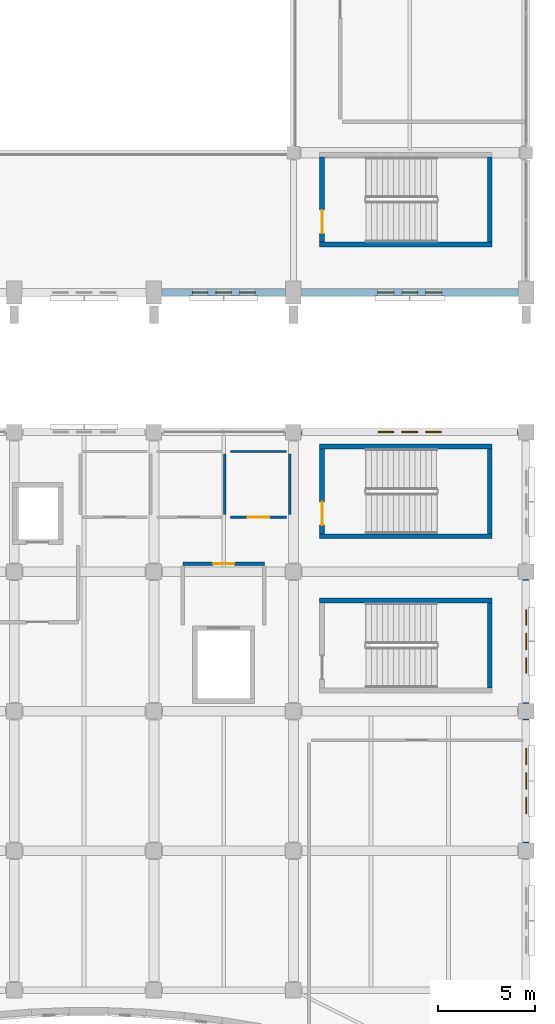
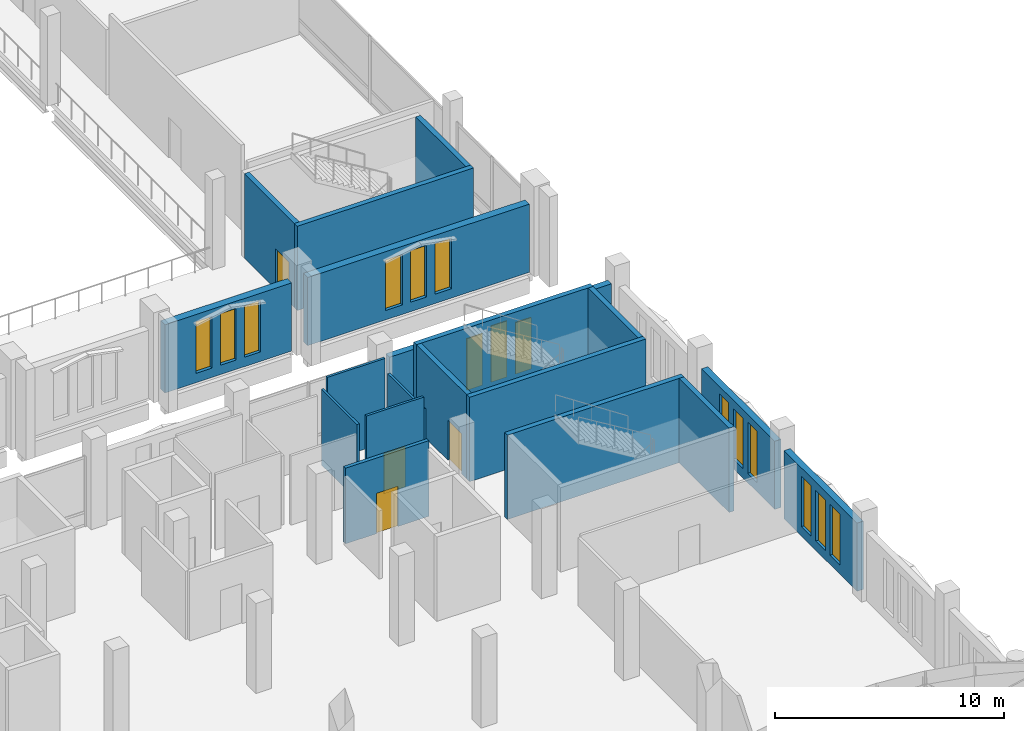
# One storey, part 163 of 220: 19 walls, 15 windows, 4 doors, 19 openings.
"""IFC4 building model written with IfcOpenShell, lengths in metres."""

from ifc_helpers import new_model, si_unit, direction, frame, frame_2d, origin, place, context, subcontext, project, spatial, rectangle, extrude, material, layer, layer_set, type_object, element, fill, save


model = new_model("IFC4")

# Units and contexts
model_context = context("Model", 3, precision=1e-05, world=origin(), true_north=direction((0.0, 1.0)))
body_context = subcontext(model_context, "Body", "Model", "MODEL_VIEW")
ifc_project = project(units=[si_unit("LENGTHUNIT", "METRE"), si_unit("AREAUNIT", "SQUARE_METRE"), si_unit("VOLUMEUNIT", "CUBIC_METRE"), si_unit("PLANEANGLEUNIT", "RADIAN"), si_unit("MASSUNIT", "GRAM", prefix="KILO")], contexts=[model_context])

# Site, building, storey
site_placement = place(None, origin())
site = spatial("IfcSite", under=ifc_project, at=site_placement, CompositionType="ELEMENT")
building_placement = place(site_placement, origin())
building = spatial("IfcBuilding", under=site, at=building_placement, Name="Cendralis Lancet Convention Centre", CompositionType="ELEMENT")
storey_placement = place(building_placement, frame((0.0, 0.0, 5.39990234375)))
storey = spatial("IfcBuildingStorey", under=building, at=storey_placement, Name="L01", CompositionType="ELEMENT", Elevation=5.39990234375)

# Wall, openings, windows
ifc_material_1 = material(Name="Buff sandstone ashlar and Concrete G40 (C40/50)", Category="masonry")
ifc_layer_1 = layer(ifc_material_1, 0.320068359375, Name="Buff sandstone ashlar and Concrete G40 (C40/50)")
ifc_layer_set_1 = layer_set([ifc_layer_1], Name="Buff sandstone ashlar and Concrete G40 (C40/50)")
wall_type_1 = type_object("IfcWallType", Name="ARC-EW-W320", PredefinedType="STANDARD", material=ifc_layer_set_1)
wall_1_placement = place(storey_placement, frame((197.2080078125, 36.0, 0.0), z_axis=(0.0, 0.0, 1.0), x_axis=(1.0, 0.0, 0.0)))
wall_1 = element("IfcWall", 1, at=wall_1_placement, inside=storey, type_object=wall_type_1, Name="L01 V5 Exterior Wall EW-06 #0271", PredefinedType="STANDARD", context=body_context, shape_type="SweptSolid", body=[
    extrude(rectangle(XDim=11.18408203125, YDim=0.320068359375, at=frame_2d((5.592041015625, 0.0))), origin(), (0.0, 0.0, 1.0), 3.735107421875),
])
opening_1_placement = place(wall_1_placement, frame((3.9619140625, 0.0, 0.5)))
opening_1 = element("IfcOpeningElement", 2, at=opening_1_placement, cuts=wall_1, Name="Opening WN-07", PredefinedType="OPENING", context=body_context, shape_type="SweptSolid", body=[
    extrude(rectangle(XDim=0.800048828125, YDim=2.75, at=frame_2d((0.39990234375, 1.375))), frame((0.0, 0.169921875, 0.0), z_axis=(0.0, -1.0, 0.0), x_axis=(1.0, 0.0, 0.0)), (0.0, 0.0, 1.0), 0.340087890625),
])
opening_2_placement = place(wall_1_placement, frame((5.181884765625, 0.0, 0.5)))
opening_2 = element("IfcOpeningElement", 3, at=opening_2_placement, cuts=wall_1, Name="Opening WN-02", PredefinedType="OPENING", context=body_context, shape_type="SweptSolid", body=[
    extrude(rectangle(XDim=0.820068359375, YDim=3.0, at=frame_2d((0.41015625, 1.5))), frame((0.0, 0.169921875, 0.0), z_axis=(0.0, -1.0, 0.0), x_axis=(1.0, 0.0, 0.0)), (0.0, 0.0, 1.0), 0.340087890625),
])
opening_3_placement = place(wall_1_placement, frame((6.422119140625, 0.0, 0.5)))
opening_3 = element("IfcOpeningElement", 4, at=opening_3_placement, cuts=wall_1, Name="Opening WN-07", PredefinedType="OPENING", context=body_context, shape_type="SweptSolid", body=[
    extrude(rectangle(XDim=0.800048828125, YDim=2.75, at=frame_2d((0.39990234375, 1.375))), frame((0.0, 0.169921875, 0.0), z_axis=(0.0, -1.0, 0.0), x_axis=(1.0, 0.0, 0.0)), (0.0, 0.0, 1.0), 0.340087890625),
])
ifc_material_2 = material(Name="Double-glazed low-E solar-control glass", Category="glass")
window_type_1 = type_object("IfcWindowType", Name="ARC-WN-LW02", PartitioningType="SINGLE_PANEL", PredefinedType="WINDOW", material=ifc_material_2)
window_1_placement = place(opening_2_placement, origin())
window_1 = element("IfcWindow", 5, at=window_1_placement, inside=storey, type_object=window_type_1, Name="Gothic Lancet Window WN-02 #0518", OverallHeight=3.0, OverallWidth=0.820068359375, PartitioningType="SINGLE_PANEL", PredefinedType="WINDOW", context=body_context, shape_type="SweptSolid", body=[
    extrude(rectangle(XDim=0.820068359375, YDim=3.0, at=frame_2d((0.41015625, 1.5))), frame((0.0, 0.030029296875, 0.0), z_axis=(0.0, -1.0, 0.0), x_axis=(1.0, 0.0, 0.0)), (0.0, 0.0, 1.0), 0.06005859375),
])
fill(opening_2, window_1)
window_type_2 = type_object("IfcWindowType", Name="ARC-WN-LW07", PartitioningType="SINGLE_PANEL", PredefinedType="WINDOW", material=ifc_material_2)
window_2_placement = place(opening_1_placement, origin())
window_2 = element("IfcWindow", 6, at=window_2_placement, inside=storey, type_object=window_type_2, Name="Gothic Lancet Window WN-07 #0517", OverallHeight=2.75, OverallWidth=0.800048828125, PartitioningType="SINGLE_PANEL", PredefinedType="WINDOW", context=body_context, shape_type="SweptSolid", body=[
    extrude(rectangle(XDim=0.800048828125, YDim=2.75, at=frame_2d((0.39990234375, 1.375))), frame((0.0, 0.030029296875, 0.0), z_axis=(0.0, -1.0, 0.0), x_axis=(1.0, 0.0, 0.0)), (0.0, 0.0, 1.0), 0.06005859375),
])
fill(opening_1, window_2)
window_3_placement = place(opening_3_placement, origin())
window_3 = element("IfcWindow", 7, at=window_3_placement, inside=storey, type_object=window_type_2, Name="Gothic Lancet Window WN-07 #0519", OverallHeight=2.75, OverallWidth=0.800048828125, PartitioningType="SINGLE_PANEL", PredefinedType="WINDOW", context=body_context, shape_type="SweptSolid", body=[
    extrude(rectangle(XDim=0.800048828125, YDim=2.75, at=frame_2d((0.39990234375, 1.375))), frame((0.0, 0.030029296875, 0.0), z_axis=(0.0, -1.0, 0.0), x_axis=(1.0, 0.0, 0.0)), (0.0, 0.0, 1.0), 0.06005859375),
])
fill(opening_3, window_3)

wall_2_placement = place(storey_placement, frame((208.800048828125, 21.19189453125, 0.0), z_axis=(0.0, 0.0, 1.0), x_axis=(0.0, -1.0, 0.0)))
wall_2 = element("IfcWall", 8, at=wall_2_placement, inside=storey, type_object=wall_type_1, Name="L01 V5 Exterior Wall EW-06 #0274", PredefinedType="STANDARD", context=body_context, shape_type="SweptSolid", body=[
    extrude(rectangle(XDim=6.3837890625, YDim=0.320068359375, at=frame_2d((3.19189453125, 0.0))), origin(), (0.0, 0.0, 1.0), 3.635009765625),
])
opening_4_placement = place(wall_2_placement, frame((1.511962890625, 0.0, 0.5)))
opening_4 = element("IfcOpeningElement", 9, at=opening_4_placement, cuts=wall_2, Name="Opening WN-15", PredefinedType="OPENING", context=body_context, shape_type="SweptSolid", body=[
    extrude(rectangle(XDim=0.840087890625, YDim=2.699951171875, at=frame_2d((0.419921875, 1.35009765625))), frame((0.0, 0.169921875, 0.0), z_axis=(0.0, -1.0, 0.0), x_axis=(1.0, 0.0, 0.0)), (0.0, 0.0, 1.0), 0.340087890625),
])
opening_5_placement = place(wall_2_placement, frame((2.77197265625, 0.0, 0.5)))
opening_5 = element("IfcOpeningElement", 10, at=opening_5_placement, cuts=wall_2, Name="Opening WN-15", PredefinedType="OPENING", context=body_context, shape_type="SweptSolid", body=[
    extrude(rectangle(XDim=0.840087890625, YDim=2.699951171875, at=frame_2d((0.419921875, 1.35009765625))), frame((0.0, 0.169921875, 0.0), z_axis=(0.0, -1.0, 0.0), x_axis=(1.0, 0.0, 0.0)), (0.0, 0.0, 1.0), 0.340087890625),
])
opening_6_placement = place(wall_2_placement, frame((4.031982421875, 0.0, 0.5)))
opening_6 = element("IfcOpeningElement", 11, at=opening_6_placement, cuts=wall_2, Name="Opening WN-15", PredefinedType="OPENING", context=body_context, shape_type="SweptSolid", body=[
    extrude(rectangle(XDim=0.840087890625, YDim=2.699951171875, at=frame_2d((0.419921875, 1.35009765625))), frame((0.0, 0.169921875, 0.0), z_axis=(0.0, -1.0, 0.0), x_axis=(1.0, 0.0, 0.0)), (0.0, 0.0, 1.0), 0.340087890625),
])
window_type_3 = type_object("IfcWindowType", Name="ARC-WN-LW15", PartitioningType="SINGLE_PANEL", PredefinedType="WINDOW", material=ifc_material_2)
window_4_placement = place(opening_4_placement, origin())
window_4 = element("IfcWindow", 12, at=window_4_placement, inside=storey, type_object=window_type_3, Name="Gothic Lancet Window WN-15 #0526", OverallHeight=2.699951171875, OverallWidth=0.840087890625, PartitioningType="SINGLE_PANEL", PredefinedType="WINDOW", context=body_context, shape_type="SweptSolid", body=[
    extrude(rectangle(XDim=0.840087890625, YDim=2.699951171875, at=frame_2d((0.419921875, 1.35009765625))), frame((0.0, 0.030029296875, 0.0), z_axis=(0.0, -1.0, 0.0), x_axis=(1.0, 0.0, 0.0)), (0.0, 0.0, 1.0), 0.06005859375),
])
fill(opening_4, window_4)
window_5_placement = place(opening_5_placement, origin())
window_5 = element("IfcWindow", 13, at=window_5_placement, inside=storey, type_object=window_type_3, Name="Gothic Lancet Window WN-15 #0527", OverallHeight=2.699951171875, OverallWidth=0.840087890625, PartitioningType="SINGLE_PANEL", PredefinedType="WINDOW", context=body_context, shape_type="SweptSolid", body=[
    extrude(rectangle(XDim=0.840087890625, YDim=2.699951171875, at=frame_2d((0.419921875, 1.35009765625))), frame((0.0, 0.030029296875, 0.0), z_axis=(0.0, -1.0, 0.0), x_axis=(1.0, 0.0, 0.0)), (0.0, 0.0, 1.0), 0.06005859375),
])
fill(opening_5, window_5)
window_6_placement = place(opening_6_placement, origin())
window_6 = element("IfcWindow", 14, at=window_6_placement, inside=storey, type_object=window_type_3, Name="Gothic Lancet Window WN-15 #0528", OverallHeight=2.699951171875, OverallWidth=0.840087890625, PartitioningType="SINGLE_PANEL", PredefinedType="WINDOW", context=body_context, shape_type="SweptSolid", body=[
    extrude(rectangle(XDim=0.840087890625, YDim=2.699951171875, at=frame_2d((0.419921875, 1.35009765625))), frame((0.0, 0.030029296875, 0.0), z_axis=(0.0, -1.0, 0.0), x_axis=(1.0, 0.0, 0.0)), (0.0, 0.0, 1.0), 0.06005859375),
])
fill(opening_6, window_6)

wall_3_placement = place(storey_placement, frame((208.800048828125, 28.39208984375, 0.0), z_axis=(0.0, 0.0, 1.0), x_axis=(0.0, -1.0, 0.0)))
wall_3 = element("IfcWall", 15, at=wall_3_placement, inside=storey, type_object=wall_type_1, Name="L01 V5 Exterior Wall EW-06 #0275", PredefinedType="STANDARD", context=body_context, shape_type="SweptSolid", body=[
    extrude(rectangle(XDim=6.384033203125, YDim=0.320068359375, at=frame_2d((3.19189453125, 0.0))), origin(), (0.0, 0.0, 1.0), 3.635009765625),
])
opening_7_placement = place(wall_3_placement, frame((1.552001953125, 0.0, 0.5)))
opening_7 = element("IfcOpeningElement", 16, at=opening_7_placement, cuts=wall_3, Name="Opening WN-07", PredefinedType="OPENING", context=body_context, shape_type="SweptSolid", body=[
    extrude(rectangle(XDim=0.800048828125, YDim=2.75, at=frame_2d((0.39990234375, 1.375))), frame((0.0, 0.169921875, 0.0), z_axis=(0.0, -1.0, 0.0), x_axis=(1.0, 0.0, 0.0)), (0.0, 0.0, 1.0), 0.340087890625),
])
opening_8_placement = place(wall_3_placement, frame((2.77197265625, 0.0, 0.5)))
opening_8 = element("IfcOpeningElement", 17, at=opening_8_placement, cuts=wall_3, Name="Opening WN-15", PredefinedType="OPENING", context=body_context, shape_type="SweptSolid", body=[
    extrude(rectangle(XDim=0.840087890625, YDim=2.699951171875, at=frame_2d((0.419921875, 1.35009765625))), frame((0.0, 0.169921875, 0.0), z_axis=(0.0, -1.0, 0.0), x_axis=(1.0, 0.0, 0.0)), (0.0, 0.0, 1.0), 0.340087890625),
])
opening_9_placement = place(wall_3_placement, frame((4.031982421875, 0.0, 0.5)))
opening_9 = element("IfcOpeningElement", 18, at=opening_9_placement, cuts=wall_3, Name="Opening WN-07", PredefinedType="OPENING", context=body_context, shape_type="SweptSolid", body=[
    extrude(rectangle(XDim=0.800048828125, YDim=2.75, at=frame_2d((0.39990234375, 1.375))), frame((0.0, 0.169921875, 0.0), z_axis=(0.0, -1.0, 0.0), x_axis=(1.0, 0.0, 0.0)), (0.0, 0.0, 1.0), 0.340087890625),
])
window_7_placement = place(opening_7_placement, origin())
window_7 = element("IfcWindow", 19, at=window_7_placement, inside=storey, type_object=window_type_2, Name="Gothic Lancet Window WN-07 #0529", OverallHeight=2.75, OverallWidth=0.800048828125, PartitioningType="SINGLE_PANEL", PredefinedType="WINDOW", context=body_context, shape_type="SweptSolid", body=[
    extrude(rectangle(XDim=0.800048828125, YDim=2.75, at=frame_2d((0.39990234375, 1.375))), frame((0.0, 0.030029296875, 0.0), z_axis=(0.0, -1.0, 0.0), x_axis=(1.0, 0.0, 0.0)), (0.0, 0.0, 1.0), 0.06005859375),
])
fill(opening_7, window_7)
window_8_placement = place(opening_9_placement, origin())
window_8 = element("IfcWindow", 20, at=window_8_placement, inside=storey, type_object=window_type_2, Name="Gothic Lancet Window WN-07 #0531", OverallHeight=2.75, OverallWidth=0.800048828125, PartitioningType="SINGLE_PANEL", PredefinedType="WINDOW", context=body_context, shape_type="SweptSolid", body=[
    extrude(rectangle(XDim=0.800048828125, YDim=2.75, at=frame_2d((0.39990234375, 1.375))), frame((0.0, 0.030029296875, 0.0), z_axis=(0.0, -1.0, 0.0), x_axis=(1.0, 0.0, 0.0)), (0.0, 0.0, 1.0), 0.06005859375),
])
fill(opening_9, window_8)
window_9_placement = place(opening_8_placement, origin())
window_9 = element("IfcWindow", 21, at=window_9_placement, inside=storey, type_object=window_type_3, Name="Gothic Lancet Window WN-15 #0530", OverallHeight=2.699951171875, OverallWidth=0.840087890625, PartitioningType="SINGLE_PANEL", PredefinedType="WINDOW", context=body_context, shape_type="SweptSolid", body=[
    extrude(rectangle(XDim=0.840087890625, YDim=2.699951171875, at=frame_2d((0.419921875, 1.35009765625))), frame((0.0, 0.030029296875, 0.0), z_axis=(0.0, -1.0, 0.0), x_axis=(1.0, 0.0, 0.0)), (0.0, 0.0, 1.0), 0.06005859375),
])
fill(opening_8, window_9)

ifc_layer_2 = layer(ifc_material_1, 0.3798828125, Name="Buff sandstone ashlar and Concrete G40 (C40/50)")
ifc_layer_set_2 = layer_set([ifc_layer_2], Name="Buff sandstone ashlar and Concrete G40 (C40/50)")
wall_type_2 = type_object("IfcWallType", Name="ARC-EW-W380", PredefinedType="STANDARD", material=ifc_layer_set_2)
wall_4_placement = place(storey_placement, frame((196.39208984375, 43.199951171875, 0.0), z_axis=(0.0, 0.0, 1.0), x_axis=(-1.0, 0.0, 0.0)))
wall_4 = element("IfcWall", 22, at=wall_4_placement, inside=storey, type_object=wall_type_2, Name="L01 V2 Exterior Wall EW-03 #0097", PredefinedType="STANDARD", context=body_context, shape_type="SweptSolid", body=[
    extrude(rectangle(XDim=6.384033203125, YDim=0.3798828125, at=frame_2d((3.19189453125, 0.0))), origin(), (0.0, 0.0, 1.0), 3.635009765625),
])
opening_10_placement = place(wall_4_placement, frame((1.572021484375, 0.0, 0.5)))
opening_10 = element("IfcOpeningElement", 23, at=opening_10_placement, cuts=wall_4, Name="Opening WN-07", PredefinedType="OPENING", context=body_context, shape_type="SweptSolid", body=[
    extrude(rectangle(XDim=0.800048828125, YDim=2.75, at=frame_2d((0.39990234375, 1.375))), frame((0.0, 0.199951171875, 0.0), z_axis=(0.0, -1.0, 0.0), x_axis=(1.0, 0.0, 0.0)), (0.0, 0.0, 1.0), 0.39990234375),
])
opening_11_placement = place(wall_4_placement, frame((2.7919921875, 0.0, 0.5)))
opening_11 = element("IfcOpeningElement", 24, at=opening_11_placement, cuts=wall_4, Name="Opening WN-07", PredefinedType="OPENING", context=body_context, shape_type="SweptSolid", body=[
    extrude(rectangle(XDim=0.800048828125, YDim=2.75, at=frame_2d((0.39990234375, 1.375))), frame((0.0, 0.199951171875, 0.0), z_axis=(0.0, -1.0, 0.0), x_axis=(1.0, 0.0, 0.0)), (0.0, 0.0, 1.0), 0.39990234375),
])
opening_12_placement = place(wall_4_placement, frame((4.011962890625, 0.0, 0.5)))
opening_12 = element("IfcOpeningElement", 25, at=opening_12_placement, cuts=wall_4, Name="Opening WN-07", PredefinedType="OPENING", context=body_context, shape_type="SweptSolid", body=[
    extrude(rectangle(XDim=0.800048828125, YDim=2.75, at=frame_2d((0.39990234375, 1.375))), frame((0.0, 0.199951171875, 0.0), z_axis=(0.0, -1.0, 0.0), x_axis=(1.0, 0.0, 0.0)), (0.0, 0.0, 1.0), 0.39990234375),
])
window_10_placement = place(opening_10_placement, origin())
window_10 = element("IfcWindow", 26, at=window_10_placement, inside=storey, type_object=window_type_2, Name="Gothic Lancet Window WN-07 #0168", OverallHeight=2.75, OverallWidth=0.800048828125, PartitioningType="SINGLE_PANEL", PredefinedType="WINDOW", context=body_context, shape_type="SweptSolid", body=[
    extrude(rectangle(XDim=0.800048828125, YDim=2.75, at=frame_2d((0.39990234375, 1.375))), frame((0.0, 0.030029296875, 0.0), z_axis=(0.0, -1.0, 0.0), x_axis=(1.0, 0.0, 0.0)), (0.0, 0.0, 1.0), 0.06005859375),
])
fill(opening_10, window_10)
window_11_placement = place(opening_11_placement, origin())
window_11 = element("IfcWindow", 27, at=window_11_placement, inside=storey, type_object=window_type_2, Name="Gothic Lancet Window WN-07 #0169", OverallHeight=2.75, OverallWidth=0.800048828125, PartitioningType="SINGLE_PANEL", PredefinedType="WINDOW", context=body_context, shape_type="SweptSolid", body=[
    extrude(rectangle(XDim=0.800048828125, YDim=2.75, at=frame_2d((0.39990234375, 1.375))), frame((0.0, 0.030029296875, 0.0), z_axis=(0.0, -1.0, 0.0), x_axis=(1.0, 0.0, 0.0)), (0.0, 0.0, 1.0), 0.06005859375),
])
fill(opening_11, window_11)
window_12_placement = place(opening_12_placement, origin())
window_12 = element("IfcWindow", 28, at=window_12_placement, inside=storey, type_object=window_type_2, Name="Gothic Lancet Window WN-07 #0170", OverallHeight=2.75, OverallWidth=0.800048828125, PartitioningType="SINGLE_PANEL", PredefinedType="WINDOW", context=body_context, shape_type="SweptSolid", body=[
    extrude(rectangle(XDim=0.800048828125, YDim=2.75, at=frame_2d((0.39990234375, 1.375))), frame((0.0, 0.030029296875, 0.0), z_axis=(0.0, -1.0, 0.0), x_axis=(1.0, 0.0, 0.0)), (0.0, 0.0, 1.0), 0.06005859375),
])
fill(opening_12, window_12)

wall_5_placement = place(storey_placement, frame((208.39208984375, 43.199951171875, 0.0), z_axis=(0.0, 0.0, 1.0), x_axis=(-1.0, 0.0, 0.0)))
wall_5 = element("IfcWall", 29, at=wall_5_placement, inside=storey, type_object=wall_type_2, Name="L01 V2 Exterior Wall EW-03 #0098", PredefinedType="STANDARD", context=body_context, shape_type="SweptSolid", body=[
    extrude(rectangle(XDim=11.18408203125, YDim=0.3798828125, at=frame_2d((5.592041015625, 0.0))), origin(), (0.0, 0.0, 1.0), 3.635009765625),
])
opening_13_placement = place(wall_5_placement, frame((3.931884765625, 0.0, 0.5)))
opening_13 = element("IfcOpeningElement", 30, at=opening_13_placement, cuts=wall_5, Name="Opening WN-15", PredefinedType="OPENING", context=body_context, shape_type="SweptSolid", body=[
    extrude(rectangle(XDim=0.840087890625, YDim=2.699951171875, at=frame_2d((0.419921875, 1.35009765625))), frame((0.0, 0.199951171875, 0.0), z_axis=(0.0, -1.0, 0.0), x_axis=(1.0, 0.0, 0.0)), (0.0, 0.0, 1.0), 0.39990234375),
])
opening_14_placement = place(wall_5_placement, frame((5.19189453125, 0.0, 0.5)))
opening_14 = element("IfcOpeningElement", 31, at=opening_14_placement, cuts=wall_5, Name="Opening WN-07", PredefinedType="OPENING", context=body_context, shape_type="SweptSolid", body=[
    extrude(rectangle(XDim=0.800048828125, YDim=2.75, at=frame_2d((0.39990234375, 1.375))), frame((0.0, 0.199951171875, 0.0), z_axis=(0.0, -1.0, 0.0), x_axis=(1.0, 0.0, 0.0)), (0.0, 0.0, 1.0), 0.39990234375),
])
opening_15_placement = place(wall_5_placement, frame((6.412109375, 0.0, 0.5)))
opening_15 = element("IfcOpeningElement", 32, at=opening_15_placement, cuts=wall_5, Name="Opening WN-15", PredefinedType="OPENING", context=body_context, shape_type="SweptSolid", body=[
    extrude(rectangle(XDim=0.840087890625, YDim=2.699951171875, at=frame_2d((0.419921875, 1.35009765625))), frame((0.0, 0.199951171875, 0.0), z_axis=(0.0, -1.0, 0.0), x_axis=(1.0, 0.0, 0.0)), (0.0, 0.0, 1.0), 0.39990234375),
])
window_13_placement = place(opening_14_placement, origin())
window_13 = element("IfcWindow", 33, at=window_13_placement, inside=storey, type_object=window_type_2, Name="Gothic Lancet Window WN-07 #0172", OverallHeight=2.75, OverallWidth=0.800048828125, PartitioningType="SINGLE_PANEL", PredefinedType="WINDOW", context=body_context, shape_type="SweptSolid", body=[
    extrude(rectangle(XDim=0.800048828125, YDim=2.75, at=frame_2d((0.39990234375, 1.375))), frame((0.0, 0.030029296875, 0.0), z_axis=(0.0, -1.0, 0.0), x_axis=(1.0, 0.0, 0.0)), (0.0, 0.0, 1.0), 0.06005859375),
])
fill(opening_14, window_13)
window_14_placement = place(opening_13_placement, origin())
window_14 = element("IfcWindow", 34, at=window_14_placement, inside=storey, type_object=window_type_3, Name="Gothic Lancet Window WN-15 #0171", OverallHeight=2.699951171875, OverallWidth=0.840087890625, PartitioningType="SINGLE_PANEL", PredefinedType="WINDOW", context=body_context, shape_type="SweptSolid", body=[
    extrude(rectangle(XDim=0.840087890625, YDim=2.699951171875, at=frame_2d((0.419921875, 1.35009765625))), frame((0.0, 0.030029296875, 0.0), z_axis=(0.0, -1.0, 0.0), x_axis=(1.0, 0.0, 0.0)), (0.0, 0.0, 1.0), 0.06005859375),
])
fill(opening_13, window_14)
window_15_placement = place(opening_15_placement, origin())
window_15 = element("IfcWindow", 35, at=window_15_placement, inside=storey, type_object=window_type_3, Name="Gothic Lancet Window WN-15 #0173", OverallHeight=2.699951171875, OverallWidth=0.840087890625, PartitioningType="SINGLE_PANEL", PredefinedType="WINDOW", context=body_context, shape_type="SweptSolid", body=[
    extrude(rectangle(XDim=0.840087890625, YDim=2.699951171875, at=frame_2d((0.419921875, 1.35009765625))), frame((0.0, 0.030029296875, 0.0), z_axis=(0.0, -1.0, 0.0), x_axis=(1.0, 0.0, 0.0)), (0.0, 0.0, 1.0), 0.06005859375),
])
fill(opening_15, window_15)

# Wall
ifc_material_3 = material(Name="Acoustic fire-rated gypsum board on steel studs", Category="steel")
ifc_layer_3 = layer(ifc_material_3, 0.1201171875, Name="Acoustic fire-rated gypsum board on steel studs")
ifc_layer_set_3 = layer_set([ifc_layer_3], Name="Acoustic fire-rated gypsum board on steel studs")
wall_type_3 = type_object("IfcWallType", Name="ARC-IW-P120", PredefinedType="PARTITIONING", material=ifc_layer_set_3)
wall_6_placement = place(storey_placement, frame((193.25, 31.739990234375, 0.0), z_axis=(0.0, 0.0, 1.0), x_axis=(0.0, 1.0, 0.0)))
element("IfcWall", 36, at=wall_6_placement, inside=storey, type_object=wall_type_3, Name="L01 Interior Partition IW-05 #0382", PredefinedType="PARTITIONING", context=body_context, shape_type="SweptSolid", body=[
    extrude(rectangle(XDim=3.1201171875, YDim=0.1201171875, at=frame_2d((1.56005859375, 0.0))), origin(), (0.0, 0.0, 1.0), 4.03515625),
])

# Wall, opening, door
wall_7_placement = place(storey_placement, frame((193.550048828125, 31.60009765625, 0.0), z_axis=(0.0, 0.0, 1.0), x_axis=(1.0, 0.0, 0.0)))
wall_7 = element("IfcWall", 37, at=wall_7_placement, inside=storey, type_object=wall_type_3, Name="L01 Interior Partition IW-05 #0383", PredefinedType="PARTITIONING", context=body_context, shape_type="SweptSolid", body=[
    extrude(rectangle(XDim=2.89990234375, YDim=0.1201171875, at=frame_2d((1.449951171875, 0.0))), origin(), (0.0, 0.0, 1.0), 4.485107421875),
])
opening_16_placement = place(wall_7_placement, frame((0.89990234375, 0.0, 0.0)))
opening_16 = element("IfcOpeningElement", 38, at=opening_16_placement, cuts=wall_7, Name="Opening FD-11", PredefinedType="OPENING", context=body_context, shape_type="SweptSolid", body=[
    extrude(rectangle(XDim=1.10009765625, YDim=2.14990234375, at=frame_2d((0.550048828125, 1.074951171875))), frame((0.0, 0.070068359375, 0.0), z_axis=(0.0, -1.0, 0.0), x_axis=(1.0, 0.0, 0.0)), (0.0, 0.0, 1.0), 0.14013671875),
])
ifc_material_4 = material(Name="Steel S355", Category="steel")
door_type_1 = type_object("IfcDoorType", Name="ARC-DR-FF11", OperationType="NOTDEFINED", PredefinedType="DOOR", material=ifc_material_4)
door_1_placement = place(opening_16_placement, origin())
door_1 = element("IfcDoor", 39, at=door_1_placement, inside=storey, type_object=door_type_1, Name="L01-D039 L01 Interior Door FD-11 #0130", OperationType="SINGLE_SWING_RIGHT", OverallHeight=2.14990234375, OverallWidth=1.10009765625, PredefinedType="DOOR", context=body_context, shape_type="SweptSolid", body=[
    extrude(rectangle(XDim=1.10009765625, YDim=2.14990234375, at=frame_2d((0.550048828125, 1.074951171875))), frame((0.0, 0.02490234375, 0.0), z_axis=(0.0, -1.0, 0.0), x_axis=(1.0, 0.0, 0.0)), (0.0, 0.0, 1.0), 0.050048828125),
])
fill(opening_16, door_1)

# Walls
wall_8_placement = place(storey_placement, frame((193.550048828125, 35.0, 0.0), z_axis=(0.0, 0.0, 1.0), x_axis=(1.0, 0.0, 0.0)))
element("IfcWall", 40, at=wall_8_placement, inside=storey, type_object=wall_type_3, Name="L01 Interior Partition IW-05 #0384", PredefinedType="PARTITIONING", context=body_context, shape_type="SweptSolid", body=[
    extrude(rectangle(XDim=2.89990234375, YDim=0.1201171875, at=frame_2d((1.449951171875, 0.0))), origin(), (0.0, 0.0, 1.0), 4.485107421875),
])
wall_9_placement = place(storey_placement, frame((196.60009765625, 31.739990234375, 0.0), z_axis=(0.0, 0.0, 1.0), x_axis=(0.0, 1.0, 0.0)))
element("IfcWall", 41, at=wall_9_placement, inside=storey, type_object=wall_type_3, Name="L01 Interior Partition IW-05 #0385", PredefinedType="PARTITIONING", context=body_context, shape_type="SweptSolid", body=[
    extrude(rectangle(XDim=3.1201171875, YDim=0.1201171875, at=frame_2d((1.56005859375, 0.0))), origin(), (0.0, 0.0, 1.0), 3.68505859375),
])

# Wall, opening, door
ifc_layer_4 = layer(ifc_material_3, 0.179931640625, Name="Acoustic fire-rated gypsum board on steel studs")
ifc_layer_set_4 = layer_set([ifc_layer_4], Name="Acoustic fire-rated gypsum board on steel studs")
wall_type_4 = type_object("IfcWallType", Name="ARC-IW-P180", PredefinedType="PARTITIONING", material=ifc_layer_set_4)
wall_10_placement = place(storey_placement, frame((191.10009765625, 29.199951171875, 0.0), z_axis=(0.0, 0.0, 1.0), x_axis=(1.0, 0.0, 0.0)))
wall_10 = element("IfcWall", 42, at=wall_10_placement, inside=storey, type_object=wall_type_4, Name="L01 Lift Lobby LG-04 Front Wall", PredefinedType="PARTITIONING", context=body_context, shape_type="SweptSolid", body=[
    extrude(rectangle(XDim=4.199951171875, YDim=0.179931640625, at=frame_2d((2.10009765625, 0.0))), origin(), (0.0, 0.0, 1.0), 4.03515625),
])
opening_17_placement = place(wall_10_placement, frame((1.550048828125, 0.0, 0.0)))
opening_17 = element("IfcOpeningElement", 43, at=opening_17_placement, cuts=wall_10, Name="Opening FD-11", PredefinedType="OPENING", context=body_context, shape_type="SweptSolid", body=[
    extrude(rectangle(XDim=1.10009765625, YDim=2.14990234375, at=frame_2d((0.550048828125, 1.074951171875))), frame((0.0, 0.099853515625, 0.0), z_axis=(0.0, -1.0, 0.0), x_axis=(1.0, 0.0, 0.0)), (0.0, 0.0, 1.0), 0.199951171875),
])
door_2_placement = place(opening_17_placement, origin())
door_2 = element("IfcDoor", 44, at=door_2_placement, inside=storey, type_object=door_type_1, Name="L01-D059 L01 Lift Lobby LG-04 Fire Door", OperationType="SINGLE_SWING_LEFT", OverallHeight=2.14990234375, OverallWidth=1.10009765625, PredefinedType="DOOR", context=body_context, shape_type="SweptSolid", body=[
    extrude(rectangle(XDim=1.10009765625, YDim=2.14990234375, at=frame_2d((0.550048828125, 1.074951171875))), frame((0.0, 0.02490234375, 0.0), z_axis=(0.0, -1.0, 0.0), x_axis=(1.0, 0.0, 0.0)), (0.0, 0.0, 1.0), 0.050048828125),
])
fill(opening_17, door_2)

ifc_material_5 = material(Name="Concrete G40 (C40/50)", Category="concrete")
ifc_layer_5 = layer(ifc_material_5, 0.25, Name="Concrete G40 (C40/50)")
ifc_layer_set_5 = layer_set([ifc_layer_5], Name="Concrete G40 (C40/50)")
wall_type_5 = type_object("IfcWallType", Name="STR-SW-CW250", PredefinedType="SHEAR", material=ifc_layer_set_5)
wall_11_placement = place(storey_placement, frame((198.27490234375, 45.800048828125, 0.0), z_axis=(0.0, 0.0, 1.0), x_axis=(0.0, 1.0, 0.0)))
wall_11 = element("IfcWall", 45, at=wall_11_placement, inside=storey, type_object=wall_type_5, Name="L01 Stair Core ST-09 West Shear Wall", PredefinedType="SHEAR", context=body_context, shape_type="SweptSolid", body=[
    extrude(rectangle(XDim=4.3798828125, YDim=0.25, at=frame_2d((2.18994140625, 0.0))), origin(), (0.0, 0.0, 1.0), 4.5),
])
opening_18_placement = place(wall_11_placement, frame((0.449951171875, 0.0, 0.0)))
opening_18 = element("IfcOpeningElement", 46, at=opening_18_placement, cuts=wall_11, Name="Opening SD-12", PredefinedType="OPENING", context=body_context, shape_type="SweptSolid", body=[
    extrude(rectangle(XDim=1.199951171875, YDim=2.14990234375, at=frame_2d((0.60009765625, 1.074951171875))), frame((0.0, 0.135009765625, 0.0), z_axis=(0.0, -1.0, 0.0), x_axis=(1.0, 0.0, 0.0)), (0.0, 0.0, 1.0), 0.27001953125),
])
door_type_2 = type_object("IfcDoorType", Name="ARC-DR-ST12", OperationType="NOTDEFINED", PredefinedType="DOOR", material=ifc_material_4)
door_3_placement = place(opening_18_placement, frame((1.199951171875, 0.0, 0.0), z_axis=(0.0, 0.0, 1.0), x_axis=(-1.0, 0.0, 0.0)))
door_3 = element("IfcDoor", 47, at=door_3_placement, inside=storey, type_object=door_type_2, Name="L01-D076 L01 Exit Stair ST-09 Fire Door", OperationType="SINGLE_SWING_RIGHT", OverallHeight=2.14990234375, OverallWidth=1.199951171875, PredefinedType="DOOR", context=body_context, shape_type="SweptSolid", body=[
    extrude(rectangle(XDim=1.199951171875, YDim=2.14990234375, at=frame_2d((0.60009765625, 1.074951171875))), frame((0.0, 0.02490234375, 0.0), z_axis=(0.0, -1.0, 0.0), x_axis=(1.0, 0.0, 0.0)), (0.0, 0.0, 1.0), 0.050048828125),
])
fill(opening_18, door_3)

# Walls
wall_12_placement = place(storey_placement, frame((206.925048828125, 45.800048828125, 0.0), z_axis=(0.0, 0.0, 1.0), x_axis=(0.0, 1.0, 0.0)))
element("IfcWall", 48, at=wall_12_placement, inside=storey, type_object=wall_type_5, Name="L01 Stair Core ST-09 East Shear Wall", PredefinedType="SHEAR", context=body_context, shape_type="SweptSolid", body=[
    extrude(rectangle(XDim=4.3798828125, YDim=0.25, at=frame_2d((2.18994140625, 0.0))), origin(), (0.0, 0.0, 1.0), 4.5),
])
wall_13_placement = place(storey_placement, frame((198.14990234375, 45.675048828125, 0.0), z_axis=(0.0, 0.0, 1.0), x_axis=(1.0, 0.0, 0.0)))
element("IfcWall", 49, at=wall_13_placement, inside=storey, type_object=wall_type_5, Name="L01 Stair Core ST-09 South Shear Wall", PredefinedType="SHEAR", context=body_context, shape_type="SweptSolid", body=[
    extrude(rectangle(XDim=8.900146484375, YDim=0.25, at=frame_2d((4.4501953125, 0.0))), origin(), (0.0, 0.0, 1.0), 4.5),
])
wall_14_placement = place(storey_placement, frame((206.925048828125, 22.800048828125, 0.0), z_axis=(0.0, 0.0, 1.0), x_axis=(0.0, 1.0, 0.0)))
element("IfcWall", 50, at=wall_14_placement, inside=storey, type_object=wall_type_5, Name="L01 Stair Core ST-15 East Shear Wall", PredefinedType="SHEAR", context=body_context, shape_type="SweptSolid", body=[
    extrude(rectangle(XDim=4.3798828125, YDim=0.25, at=frame_2d((2.18994140625, 0.0))), origin(), (0.0, 0.0, 1.0), 4.5),
])
wall_15_placement = place(storey_placement, frame((198.14990234375, 27.304931640625, 0.0), z_axis=(0.0, 0.0, 1.0), x_axis=(1.0, 0.0, 0.0)))
element("IfcWall", 51, at=wall_15_placement, inside=storey, type_object=wall_type_5, Name="L01 Stair Core ST-15 North Shear Wall", PredefinedType="SHEAR", context=body_context, shape_type="SweptSolid", body=[
    extrude(rectangle(XDim=8.900146484375, YDim=0.25, at=frame_2d((4.4501953125, 0.0))), origin(), (0.0, 0.0, 1.0), 4.5),
])

# Wall, opening, door
wall_16_placement = place(storey_placement, frame((198.27490234375, 30.75, 0.0), z_axis=(0.0, 0.0, 1.0), x_axis=(0.0, 1.0, 0.0)))
wall_16 = element("IfcWall", 52, at=wall_16_placement, inside=storey, type_object=wall_type_5, Name="L01 Stair Core ST-16 West Shear Wall", PredefinedType="SHEAR", context=body_context, shape_type="SweptSolid", body=[
    extrude(rectangle(XDim=4.3798828125, YDim=0.25, at=frame_2d((2.18994140625, 0.0))), origin(), (0.0, 0.0, 1.0), 4.5),
])
opening_19_placement = place(wall_16_placement, frame((0.449951171875, 0.0, 0.0)))
opening_19 = element("IfcOpeningElement", 53, at=opening_19_placement, cuts=wall_16, Name="Opening SD-12", PredefinedType="OPENING", context=body_context, shape_type="SweptSolid", body=[
    extrude(rectangle(XDim=1.199951171875, YDim=2.14990234375, at=frame_2d((0.60009765625, 1.074951171875))), frame((0.0, 0.135009765625, 0.0), z_axis=(0.0, -1.0, 0.0), x_axis=(1.0, 0.0, 0.0)), (0.0, 0.0, 1.0), 0.27001953125),
])
door_4_placement = place(opening_19_placement, frame((1.199951171875, 0.0, 0.0), z_axis=(0.0, 0.0, 1.0), x_axis=(-1.0, 0.0, 0.0)))
door_4 = element("IfcDoor", 54, at=door_4_placement, inside=storey, type_object=door_type_2, Name="L01-D083 L01 Exit Stair ST-16 Fire Door", OperationType="SINGLE_SWING_LEFT", OverallHeight=2.14990234375, OverallWidth=1.199951171875, PredefinedType="DOOR", context=body_context, shape_type="SweptSolid", body=[
    extrude(rectangle(XDim=1.199951171875, YDim=2.14990234375, at=frame_2d((0.60009765625, 1.074951171875))), frame((0.0, 0.02490234375, 0.0), z_axis=(0.0, -1.0, 0.0), x_axis=(1.0, 0.0, 0.0)), (0.0, 0.0, 1.0), 0.050048828125),
])
fill(opening_19, door_4)

# Walls
wall_17_placement = place(storey_placement, frame((206.925048828125, 30.75, 0.0), z_axis=(0.0, 0.0, 1.0), x_axis=(0.0, 1.0, 0.0)))
element("IfcWall", 55, at=wall_17_placement, inside=storey, type_object=wall_type_5, Name="L01 Stair Core ST-16 East Shear Wall", PredefinedType="SHEAR", context=body_context, shape_type="SweptSolid", body=[
    extrude(rectangle(XDim=4.3798828125, YDim=0.25, at=frame_2d((2.18994140625, 0.0))), origin(), (0.0, 0.0, 1.0), 4.5),
])
for number, where, z_axis, x_axis, name in (
    (56, (198.14990234375, 30.625, 0.0), (0.0, 0.0, 1.0), (1.0, 0.0, 0.0), "L01 Stair Core ST-16 South Shear Wall"),
    (57, (198.14990234375, 35.2548828125, 0.0), (0.0, 0.0, 1.0), (1.0, 0.0, 0.0), "L01 Stair Core ST-16 North Shear Wall"),
):
    element("IfcWall", number, at=place(storey_placement, frame(where, z_axis=z_axis, x_axis=x_axis)), inside=storey, type_object=wall_type_5, Name=name, PredefinedType="SHEAR", context=body_context, shape_type="SweptSolid", body=[
        extrude(rectangle(XDim=8.900146484375, YDim=0.25, at=frame_2d((4.4501953125, 0.0))), origin(), (0.0, 0.0, 1.0), 4.5),
    ])

save(model, "model.ifc")
